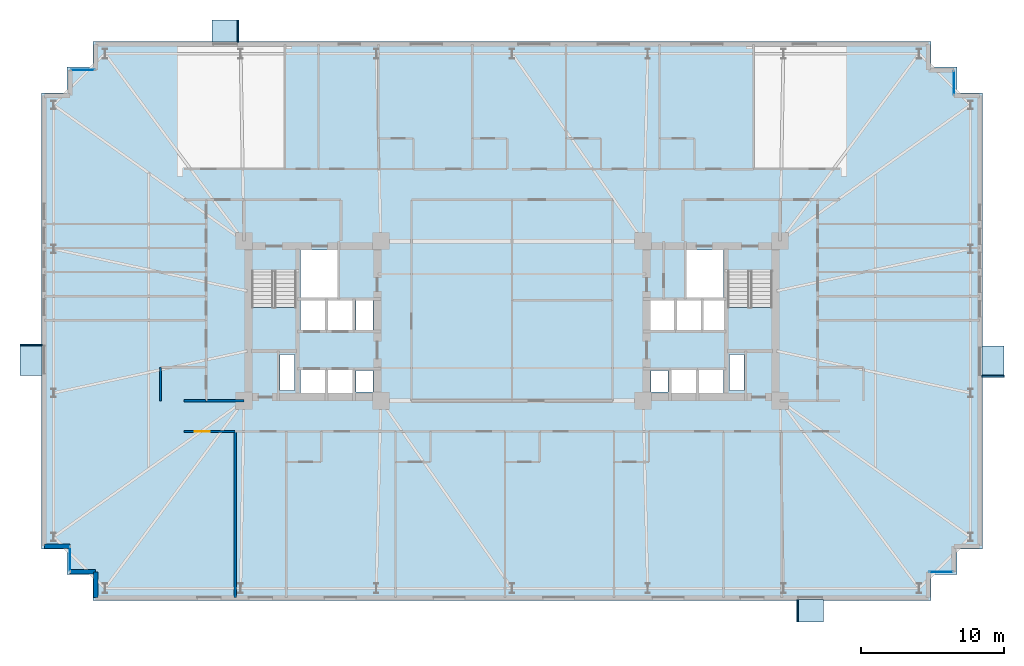
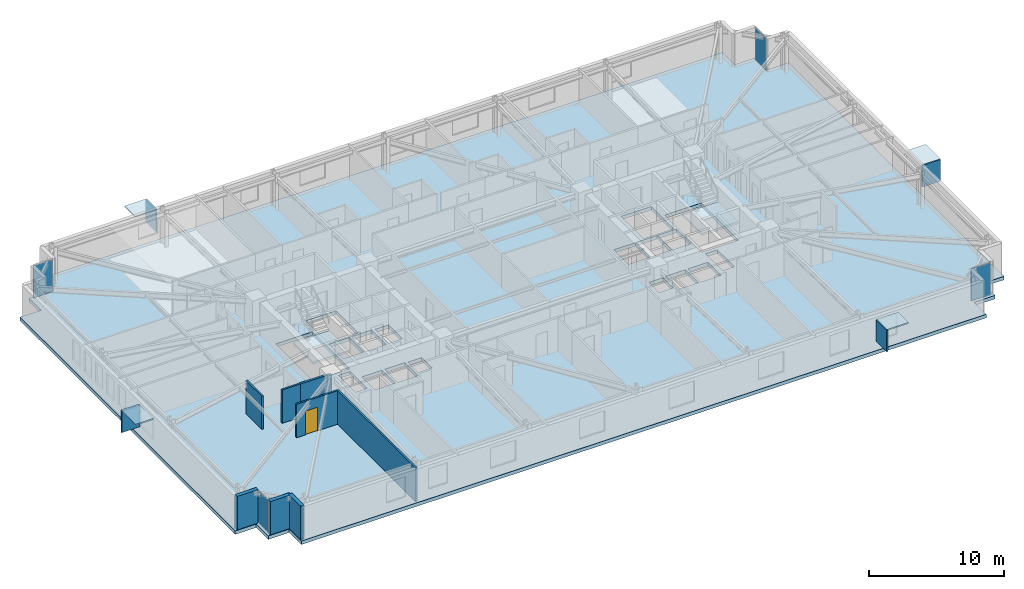
# One storey, part 13 of 22: 12 plates, 8 walls, 3 slabs, 1 door, 1 opening, 6 elements without a shape of their own.
"""IFC4 building model written with IfcOpenShell, lengths in metres."""

from ifc_helpers import new_model, si_unit, direction, frame, frame_2d, origin, origin_2d, place, context, subcontext, project, spatial, polyline, rectangle, outline, extrude, material, layer, layer_set, type_object, element, fill, aggregate, save


model = new_model("IFC4")

# Units and contexts
model_context = context("Model", 3, precision=1e-05, world=origin(), true_north=direction((0.0, 1.0)))
body_context = subcontext(model_context, "Body", "Model", "MODEL_VIEW")
ifc_project = project(units=[si_unit("LENGTHUNIT", "METRE"), si_unit("AREAUNIT", "SQUARE_METRE"), si_unit("VOLUMEUNIT", "CUBIC_METRE"), si_unit("PLANEANGLEUNIT", "RADIAN"), si_unit("MASSUNIT", "GRAM", prefix="KILO")], contexts=[model_context])

# Site, building, storey
site_placement = place(None, origin())
site = spatial("IfcSite", under=ifc_project, at=site_placement, CompositionType="ELEMENT")
building_placement = place(site_placement, origin())
building = spatial("IfcBuilding", under=site, at=building_placement, Name="Qobustan Lattice House", CompositionType="ELEMENT")
storey_placement = place(building_placement, frame((0.0, 0.0, 33.699951171875)))
storey = spatial("IfcBuildingStorey", under=building, at=storey_placement, Name="L08", CompositionType="ELEMENT", Elevation=33.699951171875)

# Curtain wall, plate
ifc_material_1 = material(Name="Anodised aluminium and low-E glazing", Category="aluminium")
ifc_layer_1 = layer(ifc_material_1, 0.219970703125)
ifc_layer_set_1 = layer_set([ifc_layer_1], Name="Anodised aluminium and low-E glazing")
curtain_wall_type = type_object("IfcCurtainWallType", Name="CW-FAC-01", PredefinedType="USERDEFINED", material=ifc_layer_set_1)
curtain_wall_1_placement = place(storey_placement, origin())
curtain_wall_1 = element("IfcCurtainWall", 1, at=curtain_wall_1_placement, inside=storey, type_object=curtain_wall_type, Name="L08 serrated corner faceted glazing 3", ObjectType="CURTAIN WALL", PredefinedType="USERDEFINED")
ifc_material_2 = material(Name="Clear low-E laminated glass", Category="glass")
ifc_layer_2 = layer(ifc_material_2, 0.031982421875)
ifc_layer_set_2 = layer_set([ifc_layer_2], Name="Clear low-E laminated glass")
plate_type_1 = type_object("IfcPlateType", Name="CWP-VISION-32", PredefinedType="CURTAIN_PANEL", material=ifc_layer_set_2)
plate_1_placement = place(storey_placement, frame((-31.0, -16.699951171875, 0.06494140625), z_axis=(0.0, 0.0, 1.0), x_axis=(0.0, 1.0, 0.0)))
plate_1 = element("IfcPlate", 2, at=plate_1_placement, type_object=plate_type_1, Name="CW-F1 panel 1.1", PredefinedType="CURTAIN_PANEL", context=body_context, shape_type="SweptSolid", body=[
    extrude(rectangle(XDim=1.659912109375, YDim=0.031982421875, at=origin_2d()), origin(), (0.0, 0.0, 1.0), 2.905029296875),
])
aggregate(curtain_wall_1, [plate_1])

curtain_wall_2_placement = place(storey_placement, origin())
curtain_wall_2 = element("IfcCurtainWall", 3, at=curtain_wall_2_placement, inside=storey, type_object=curtain_wall_type, Name="L08 serrated corner faceted glazing 8", ObjectType="CURTAIN WALL", PredefinedType="USERDEFINED")
plate_2_placement = place(storey_placement, frame((-30.10009765625, 17.60009765625, 0.06494140625), z_axis=(0.0, 0.0, 1.0), x_axis=(1.0, 0.0, 0.0)))
plate_2 = element("IfcPlate", 4, at=plate_2_placement, type_object=plate_type_1, Name="CW-F1 panel 1.1", PredefinedType="CURTAIN_PANEL", context=body_context, shape_type="SweptSolid", body=[
    extrude(rectangle(XDim=1.659912109375, YDim=0.031982421875, at=origin_2d()), origin(), (0.0, 0.0, 1.0), 2.905029296875),
])
aggregate(curtain_wall_2, [plate_2])

curtain_wall_3_placement = place(storey_placement, origin())
curtain_wall_3 = element("IfcCurtainWall", 5, at=curtain_wall_3_placement, inside=storey, type_object=curtain_wall_type, Name="L08 serrated corner faceted glazing 13", ObjectType="CURTAIN WALL", PredefinedType="USERDEFINED")
plate_3_placement = place(storey_placement, frame((31.0, 16.699951171875, 0.06494140625), z_axis=(0.0, 0.0, 1.0), x_axis=(0.0, -1.0, 0.0)))
plate_3 = element("IfcPlate", 6, at=plate_3_placement, type_object=plate_type_1, Name="CW-F1 panel 1.1", PredefinedType="CURTAIN_PANEL", context=body_context, shape_type="SweptSolid", body=[
    extrude(rectangle(XDim=1.659912109375, YDim=0.031982421875, at=origin_2d()), origin(), (0.0, 0.0, 1.0), 2.905029296875),
])
aggregate(curtain_wall_3, [plate_3])

curtain_wall_4_placement = place(storey_placement, origin())
curtain_wall_4 = element("IfcCurtainWall", 7, at=curtain_wall_4_placement, inside=storey, type_object=curtain_wall_type, Name="L08 serrated corner faceted glazing 18", ObjectType="CURTAIN WALL", PredefinedType="USERDEFINED")
plate_4_placement = place(storey_placement, frame((30.10009765625, -17.60009765625, 0.06494140625), z_axis=(0.0, 0.0, 1.0), x_axis=(-1.0, 0.0, 0.0)))
plate_4 = element("IfcPlate", 8, at=plate_4_placement, type_object=plate_type_1, Name="CW-F1 panel 1.1", PredefinedType="CURTAIN_PANEL", context=body_context, shape_type="SweptSolid", body=[
    extrude(rectangle(XDim=1.659912109375, YDim=0.031982421875, at=origin_2d()), origin(), (0.0, 0.0, 1.0), 2.905029296875),
])
aggregate(curtain_wall_4, [plate_4])

# Plates
ifc_material_3 = material(Name="Qobustan limestone GFRC", Category="masonry")
ifc_layer_3 = layer(ifc_material_3, 0.1201171875)
ifc_layer_set_3 = layer_set([ifc_layer_3], Name="Qobustan limestone GFRC")
plate_type_2 = type_object("IfcPlateType", Name="SHD-HOOD-BROW", PredefinedType="USERDEFINED", material=ifc_layer_set_3)
plate_5_placement = place(storey_placement, frame((-33.72998046875, -2.719970703125, 2.699951171875), z_axis=(0.0, 0.0, 1.0), x_axis=(0.0, 1.0, 0.0)))
element("IfcPlate", 9, at=plate_5_placement, inside=storey, type_object=plate_type_2, Name="L08 splayed Qobustan stone hood brow", ObjectType="SUNSHADE", PredefinedType="USERDEFINED", context=body_context, shape_type="SweptSolid", body=[
    extrude(rectangle(XDim=2.18994140625, YDim=1.56005859375, at=origin_2d()), origin(), (0.0, 0.0, 1.0), 0.1201171875),
])
plate_6_placement = place(storey_placement, frame((-33.72998046875, -1.68505859375, 0.7900390625), z_axis=(0.0, 0.0, 1.0), x_axis=(0.0, 1.0, 0.0)))
element("IfcPlate", 10, at=plate_6_placement, inside=storey, type_object=plate_type_2, Name="L08 splayed Qobustan stone hood cheek", ObjectType="SUNSHADE", PredefinedType="USERDEFINED", context=body_context, shape_type="SweptSolid", body=[
    extrude(rectangle(XDim=0.1201171875, YDim=1.56005859375, at=origin_2d()), origin(), (0.0, 0.0, 1.0), 1.969970703125),
])
plate_7_placement = place(storey_placement, frame((-20.113525390625, 20.330078125, 2.699951171875), z_axis=(0.0, 0.0, 1.0), x_axis=(1.0, 0.0, 0.0)))
element("IfcPlate", 11, at=plate_7_placement, inside=storey, type_object=plate_type_2, Name="L08 splayed Qobustan stone hood brow", ObjectType="SUNSHADE", PredefinedType="USERDEFINED", context=body_context, shape_type="SweptSolid", body=[
    extrude(rectangle(XDim=1.889892578125, YDim=1.56005859375, at=origin_2d()), origin(), (0.0, 0.0, 1.0), 0.1201171875),
])
plate_8_placement = place(storey_placement, frame((-19.228515625, 20.330078125, 0.7900390625), z_axis=(0.0, 0.0, 1.0), x_axis=(1.0, 0.0, 0.0)))
element("IfcPlate", 12, at=plate_8_placement, inside=storey, type_object=plate_type_2, Name="L08 splayed Qobustan stone hood cheek", ObjectType="SUNSHADE", PredefinedType="USERDEFINED", context=body_context, shape_type="SweptSolid", body=[
    extrude(rectangle(XDim=0.1201171875, YDim=1.56005859375, at=origin_2d()), origin(), (0.0, 0.0, 1.0), 1.969970703125),
])
plate_9_placement = place(storey_placement, frame((33.72998046875, -2.840087890625, 2.699951171875), z_axis=(0.0, 0.0, 1.0), x_axis=(0.0, -1.0, 0.0)))
element("IfcPlate", 13, at=plate_9_placement, inside=storey, type_object=plate_type_2, Name="L08 splayed Qobustan stone hood brow", ObjectType="SUNSHADE", PredefinedType="USERDEFINED", context=body_context, shape_type="SweptSolid", body=[
    extrude(rectangle(XDim=2.18994140625, YDim=1.56005859375, at=origin_2d()), origin(), (0.0, 0.0, 1.0), 0.1201171875),
])
plate_10_placement = place(storey_placement, frame((33.72998046875, -3.875, 0.7900390625), z_axis=(0.0, 0.0, 1.0), x_axis=(0.0, -1.0, 0.0)))
element("IfcPlate", 14, at=plate_10_placement, inside=storey, type_object=plate_type_2, Name="L08 splayed Qobustan stone hood cheek", ObjectType="SUNSHADE", PredefinedType="USERDEFINED", context=body_context, shape_type="SweptSolid", body=[
    extrude(rectangle(XDim=0.1201171875, YDim=1.56005859375, at=origin_2d()), origin(), (0.0, 0.0, 1.0), 1.969970703125),
])
plate_11_placement = place(storey_placement, frame((20.919921875, -20.330078125, 2.699951171875), z_axis=(0.0, 0.0, 1.0), x_axis=(-1.0, 0.0, 0.0)))
element("IfcPlate", 15, at=plate_11_placement, inside=storey, type_object=plate_type_2, Name="L08 splayed Qobustan stone hood brow", ObjectType="SUNSHADE", PredefinedType="USERDEFINED", context=body_context, shape_type="SweptSolid", body=[
    extrude(rectangle(XDim=1.889892578125, YDim=1.56005859375, at=origin_2d()), origin(), (0.0, 0.0, 1.0), 0.1201171875),
])
plate_12_placement = place(storey_placement, frame((20.034912109375, -20.330078125, 0.7900390625), z_axis=(0.0, 0.0, 1.0), x_axis=(-1.0, 0.0, 0.0)))
element("IfcPlate", 16, at=plate_12_placement, inside=storey, type_object=plate_type_2, Name="L08 splayed Qobustan stone hood cheek", ObjectType="SUNSHADE", PredefinedType="USERDEFINED", context=body_context, shape_type="SweptSolid", body=[
    extrude(rectangle(XDim=0.1201171875, YDim=1.56005859375, at=origin_2d()), origin(), (0.0, 0.0, 1.0), 1.969970703125),
])

# Slab
ifc_material_4 = material(Name="Concrete C40/50", Category="concrete")
ifc_layer_4 = layer(ifc_material_4, 0.31494140625)
ifc_layer_set_4 = layer_set([ifc_layer_4], Name="Concrete C40/50")
slab_type_1 = type_object("IfcSlabType", Name="SLB-FLR-315", PredefinedType="FLOOR", material=ifc_layer_set_4)
slab_1_placement = place(storey_placement, frame((0.0, 0.0, -0.31494140625)))
element("IfcSlab", 17, at=slab_1_placement, inside=storey, type_object=slab_type_1, Name="L08 structural floor slab", PredefinedType="FLOOR", context=body_context, shape_type="SweptSolid", body=[
    extrude(outline(polyline([(-29.39990234375, -19.60009765625), (29.39990234375, -19.60009765625), (29.39990234375, -17.800048828125), (31.199951171875, -17.800048828125), (31.199951171875, -16.0), (33.0, -16.0), (33.0, 16.0), (31.199951171875, 16.0), (31.199951171875, 17.800048828125), (29.39990234375, 17.800048828125), (29.39990234375, 19.60009765625), (-29.39990234375, 19.60009765625), (-29.39990234375, 17.800048828125), (-31.199951171875, 17.800048828125), (-31.199951171875, 16.0), (-33.0, 16.0), (-33.0, -16.0), (-31.199951171875, -16.0), (-31.199951171875, -17.800048828125), (-29.39990234375, -17.800048828125), (-29.39990234375, -19.60009765625)]), holes=[polyline([(-18.25, -2.050048828125), (-18.25, 3.489990234375), (-15.1298828125, 3.489990234375), (-15.1298828125, -2.050048828125), (-18.25, -2.050048828125)]), polyline([(15.1298828125, -2.050048828125), (15.1298828125, 3.489990234375), (18.25, 3.489990234375), (18.25, -2.050048828125), (15.1298828125, -2.050048828125)]), polyline([(-14.820068359375, 1.64990234375), (-14.820068359375, 4.9599609375), (-12.25, 4.9599609375), (-12.25, 1.64990234375), (-14.820068359375, 1.64990234375)]), polyline([(12.25, 1.64990234375), (12.25, 4.9599609375), (14.820068359375, 4.9599609375), (14.820068359375, 1.64990234375), (12.25, 1.64990234375)]), polyline([(-16.260009765625, -4.8798828125), (-16.260009765625, -2.360107421875), (-15.260009765625, -2.360107421875), (-15.260009765625, -4.8798828125), (-16.260009765625, -4.8798828125)]), polyline([(15.260009765625, -4.8798828125), (15.260009765625, -2.360107421875), (16.260009765625, -2.360107421875), (16.260009765625, -4.8798828125), (15.260009765625, -4.8798828125)]), polyline([(-14.85009765625, -5.35009765625), (-14.85009765625, -3.419921875), (-13.1201171875, -3.419921875), (-13.1201171875, -5.35009765625), (-14.85009765625, -5.35009765625)]), polyline([(-12.919921875, -5.35009765625), (-12.919921875, -3.419921875), (-11.179931640625, -3.419921875), (-11.179931640625, -5.35009765625), (-12.919921875, -5.35009765625)]), polyline([(-14.85009765625, -0.679931640625), (-14.85009765625, 1.47998046875), (-13.1201171875, 1.47998046875), (-13.1201171875, -0.679931640625), (-14.85009765625, -0.679931640625)]), polyline([(-12.919921875, -0.679931640625), (-12.919921875, 1.47998046875), (-11.179931640625, 1.47998046875), (-11.179931640625, -0.679931640625), (-12.919921875, -0.679931640625)]), polyline([(-10.93994140625, -5.0), (-10.93994140625, -3.47998046875), (-9.760009765625, -3.47998046875), (-9.760009765625, -5.0), (-10.93994140625, -5.0)]), polyline([(-10.93994140625, -0.6201171875), (-10.93994140625, 1.419921875), (-9.760009765625, 1.419921875), (-9.760009765625, -0.6201171875), (-10.93994140625, -0.6201171875)]), polyline([(11.179931640625, -5.35009765625), (11.179931640625, -3.419921875), (12.919921875, -3.419921875), (12.919921875, -5.35009765625), (11.179931640625, -5.35009765625)]), polyline([(13.1201171875, -5.35009765625), (13.1201171875, -3.419921875), (14.85009765625, -3.419921875), (14.85009765625, -5.35009765625), (13.1201171875, -5.35009765625)]), polyline([(9.760009765625, -5.0), (9.760009765625, -3.47998046875), (10.93994140625, -3.47998046875), (10.93994140625, -5.0), (9.760009765625, -5.0)]), polyline([(13.360107421875, -0.679931640625), (13.360107421875, 1.47998046875), (14.97998046875, 1.47998046875), (14.97998046875, -0.679931640625), (13.360107421875, -0.679931640625)]), polyline([(9.6201171875, -0.679931640625), (9.6201171875, 1.47998046875), (11.43994140625, 1.47998046875), (11.43994140625, -0.679931640625), (9.6201171875, -0.679931640625)]), polyline([(11.5, -0.679931640625), (11.5, 1.47998046875), (13.320068359375, 1.47998046875), (13.320068359375, -0.679931640625), (11.5, -0.679931640625)])]), origin(), (0.0, 0.0, 1.0), 0.31494140625),
])

# Stair, slab
ifc_material_5 = material(Name="Concrete C40/50", Category="concrete")
stair_type = type_object("IfcStairType", Name="STR-CORE-DOGLEG", PredefinedType="HALF_TURN_STAIR", material=ifc_material_5)
stair_1_placement = place(storey_placement, origin())
stair_1 = element("IfcStair", 18, at=stair_1_placement, inside=storey, type_object=stair_type, Name="L08 West protected exit stair ST-W1", PredefinedType="HALF_TURN_STAIR")
ifc_material_6 = material(Name="Concrete C40/50", Category="concrete")
ifc_layer_5 = layer(ifc_material_6, 0.199951171875)
ifc_layer_set_5 = layer_set([ifc_layer_5], Name="Concrete C40/50")
slab_type_2 = type_object("IfcSlabType", Name="SLB-LANDING-200", PredefinedType="LANDING", material=ifc_layer_set_5)
slab_2_placement = place(storey_placement, frame((0.0, 0.0, 1.47509765625)))
slab_2 = element("IfcSlab", 19, at=slab_2_placement, type_object=slab_type_2, Name="ST-W1 landing 1", PredefinedType="LANDING", context=body_context, shape_type="SweptSolid", body=[
    extrude(outline(polyline([(-18.25, 0.93505859375), (-18.25, -2.050048828125), (-15.1298828125, -2.050048828125), (-15.1298828125, 0.93505859375), (-18.25, 0.93505859375)])), origin(), (0.0, 0.0, 1.0), 0.199951171875),
])
aggregate(stair_1, [slab_2])

stair_2_placement = place(storey_placement, origin())
stair_2 = element("IfcStair", 20, at=stair_2_placement, inside=storey, type_object=stair_type, Name="L08 East protected exit stair ST-E1", PredefinedType="HALF_TURN_STAIR")
slab_3_placement = place(storey_placement, frame((0.0, 0.0, 1.47509765625)))
slab_3 = element("IfcSlab", 21, at=slab_3_placement, type_object=slab_type_2, Name="ST-E1 landing 1", PredefinedType="LANDING", context=body_context, shape_type="SweptSolid", body=[
    extrude(outline(polyline([(15.1298828125, 0.93505859375), (15.1298828125, -2.050048828125), (18.25, -2.050048828125), (18.25, 0.93505859375), (15.1298828125, 0.93505859375)])), origin(), (0.0, 0.0, 1.0), 0.199951171875),
])
aggregate(stair_2, [slab_3])

# Walls
ifc_material_7 = material(Name="Precast concrete C40/50", Category="concrete")
ifc_layer_6 = layer(ifc_material_7, 0.320068359375)
ifc_layer_set_6 = layer_set([ifc_layer_6], Name="Precast concrete C40/50")
wall_type_1 = type_object("IfcWallType", Name="WAL-EXT-STONE-320", PredefinedType="SOLIDWALL", material=ifc_layer_set_6)
wall_1_placement = place(storey_placement, frame((-29.199951171875, -19.39990234375, 0.0), z_axis=(0.0, 0.0, 1.0), x_axis=(0.0, 1.0, 0.0)))
element("IfcWall", 22, at=wall_1_placement, inside=storey, type_object=wall_type_1, Name="L08 exterior limestone-clad wall 1", PredefinedType="SOLIDWALL", context=body_context, shape_type="SweptSolid", body=[
    extrude(rectangle(XDim=1.7998046875, YDim=0.320068359375, at=frame_2d((0.89990234375, 0.0))), origin(), (0.0, 0.0, 1.0), 3.03515625),
])
for number, where, z_axis, x_axis, name in (
    (23, (-29.199951171875, -17.60009765625, 0.0), (0.0, 0.0, 1.0), (-1.0, 0.0, 0.0), "L08 exterior limestone-clad wall 2"),
    (24, (-31.0, -15.800048828125, 0.0), (0.0, 0.0, 1.0), (-1.0, 0.0, 0.0), "L08 exterior limestone-clad wall 4"),
):
    element("IfcWall", number, at=place(storey_placement, frame(where, z_axis=z_axis, x_axis=x_axis)), inside=storey, type_object=wall_type_1, Name=name, PredefinedType="SOLIDWALL", context=body_context, shape_type="SweptSolid", body=[
        extrude(rectangle(XDim=1.800048828125, YDim=0.320068359375, at=frame_2d((0.89990234375, 0.0))), origin(), (0.0, 0.0, 1.0), 3.03515625),
    ])
ifc_material_8 = material(Name="Gypsum fireboard acoustic partition", Category="gypsum")
ifc_layer_7 = layer(ifc_material_8, 0.179931640625)
ifc_layer_set_7 = layer_set([ifc_layer_7], Name="Gypsum fireboard acoustic partition")
wall_type_2 = type_object("IfcWallType", Name="WAL-FIRE-180", PredefinedType="PARTITIONING", material=ifc_layer_set_7)
wall_2_placement = place(storey_placement, frame((-21.449951171875, -5.60009765625, 0.0), z_axis=(0.0, 0.0, 1.0), x_axis=(1.0, 0.0, 0.0)))
element("IfcWall", 25, at=wall_2_placement, inside=storey, type_object=wall_type_2, Name="L08 interior partition 54", PredefinedType="PARTITIONING", context=body_context, shape_type="SweptSolid", body=[
    extrude(rectangle(XDim=2.64990234375, YDim=0.179931640625, at=frame_2d((1.324951171875, 0.0))), origin(), (0.0, 0.0, 1.0), 3.03515625),
])

# Wall, opening, door
ifc_material_9 = material(Name="Acoustic twin-stud gypsum partition", Category="gypsum")
ifc_layer_8 = layer(ifc_material_9, 0.14990234375)
ifc_layer_set_8 = layer_set([ifc_layer_8], Name="Acoustic twin-stud gypsum partition")
wall_type_3 = type_object("IfcWallType", Name="WAL-PART-150", PredefinedType="PARTITIONING", material=ifc_layer_set_8)
wall_3_placement = place(storey_placement, frame((-19.41650390625, -7.75, 0.0), z_axis=(0.0, 0.0, 1.0), x_axis=(-1.0, 0.0, 0.0)))
wall_3 = element("IfcWall", 26, at=wall_3_placement, inside=storey, type_object=wall_type_3, Name="L08 interior partition 56", PredefinedType="PARTITIONING", context=body_context, shape_type="SweptSolid", body=[
    extrude(rectangle(XDim=3.58349609375, YDim=0.14990234375, at=frame_2d((1.791748046875, 0.0))), origin(), (0.0, 0.0, 1.0), 3.03515625),
])
opening_placement = place(wall_3_placement, frame((1.78173828125, 0.0, 0.0)))
opening = element("IfcOpeningElement", 27, at=opening_placement, cuts=wall_3, Name="Opening ID-02", PredefinedType="OPENING", context=body_context, shape_type="SweptSolid", body=[
    extrude(rectangle(XDim=1.050048828125, YDim=2.14990234375, at=frame_2d((0.52490234375, 1.074951171875))), frame((0.0, 0.0849609375, 0.0), z_axis=(0.0, -1.0, 0.0), x_axis=(1.0, 0.0, 0.0)), (0.0, 0.0, 1.0), 0.169921875),
])
ifc_material_10 = material(Name="Persian walnut timber and steel frame door", Category="steel")
door_type = type_object("IfcDoorType", Name="DOR-STUDY-1050x2150", OperationType="NOTDEFINED", PredefinedType="DOOR", material=ifc_material_10)
door_placement = place(opening_placement, origin())
door = element("IfcDoor", 28, at=door_placement, inside=storey, type_object=door_type, Name="L08 South-west floor corridor to Focus study room S1A door", OperationType="SINGLE_SWING_LEFT", OverallHeight=2.14990234375, OverallWidth=1.050048828125, PredefinedType="DOOR", context=body_context, shape_type="SweptSolid", body=[
    extrude(rectangle(XDim=1.050048828125, YDim=2.14990234375, at=frame_2d((0.52490234375, 1.074951171875))), frame((0.0, 0.02490234375, 0.0), z_axis=(0.0, -1.0, 0.0), x_axis=(1.0, 0.0, 0.0)), (0.0, 0.0, 1.0), 0.050048828125),
])
fill(opening, door)

# Walls
wall_4_placement = place(storey_placement, frame((-19.41650390625, -7.75, 0.0), z_axis=(0.0, 0.0, 1.0), x_axis=(0.0, -1.0, 0.0)))
element("IfcWall", 29, at=wall_4_placement, inside=storey, type_object=wall_type_3, Name="L08 interior partition 123", PredefinedType="PARTITIONING", context=body_context, shape_type="SweptSolid", body=[
    extrude(rectangle(XDim=11.64990234375, YDim=0.14990234375, at=frame_2d((5.824951171875, 0.0))), origin(), (0.0, 0.0, 1.0), 3.03515625),
])
ifc_material_11 = material(Name="Moisture-resistant acoustic plumbing wall", Category="gypsum")
ifc_layer_9 = layer(ifc_material_11, 0.14990234375)
ifc_layer_set_9 = layer_set([ifc_layer_9], Name="Moisture-resistant acoustic plumbing wall")
wall_type_4 = type_object("IfcWallType", Name="WAL-WET-150", PredefinedType="PLUMBINGWALL", material=ifc_layer_set_9)
wall_5_placement = place(storey_placement, frame((-23.0, -5.60009765625, 0.0), z_axis=(0.0, 0.0, 1.0), x_axis=(1.0, 0.0, 0.0)))
element("IfcWall", 30, at=wall_5_placement, inside=storey, type_object=wall_type_4, Name="L08 interior partition 55", PredefinedType="PLUMBINGWALL", context=body_context, shape_type="SweptSolid", body=[
    extrude(rectangle(XDim=1.550048828125, YDim=0.14990234375, at=frame_2d((0.77490234375, 0.0))), origin(), (0.0, 0.0, 1.0), 3.03515625),
])
wall_6_placement = place(storey_placement, frame((-24.64990234375, -5.60009765625, 0.0), z_axis=(0.0, 0.0, 1.0), x_axis=(0.0, 1.0, 0.0)))
element("IfcWall", 31, at=wall_6_placement, inside=storey, type_object=wall_type_4, Name="L08 interior partition 84", PredefinedType="PLUMBINGWALL", context=body_context, shape_type="SweptSolid", body=[
    extrude(rectangle(XDim=2.35009765625, YDim=0.14990234375, at=frame_2d((1.175048828125, 0.0))), origin(), (0.0, 0.0, 1.0), 3.03515625),
])

save(model, "model.ifc")
